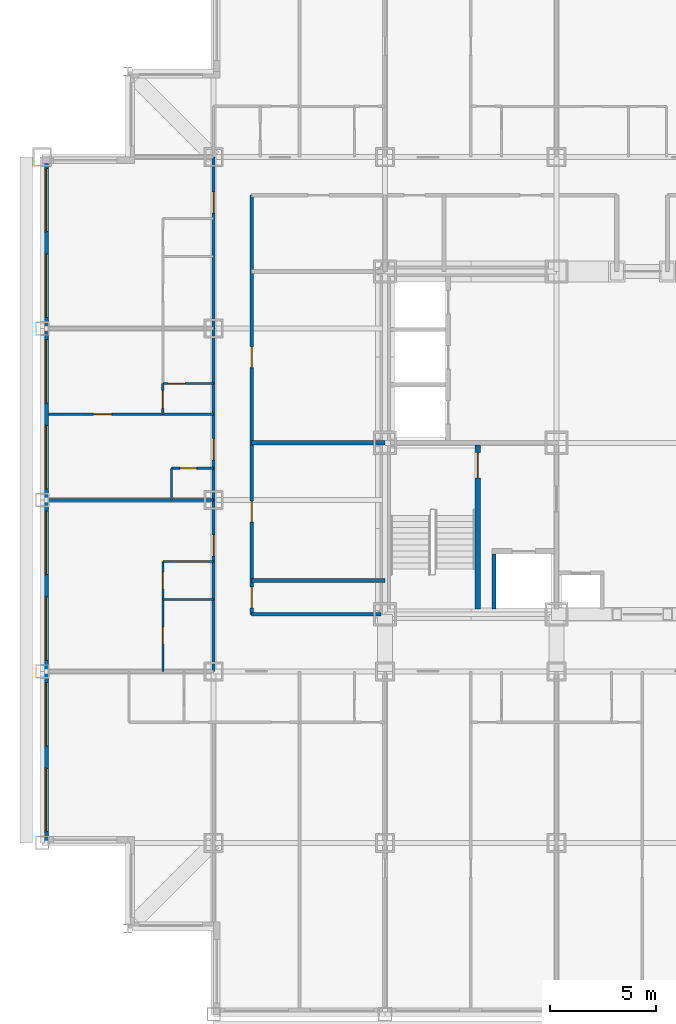
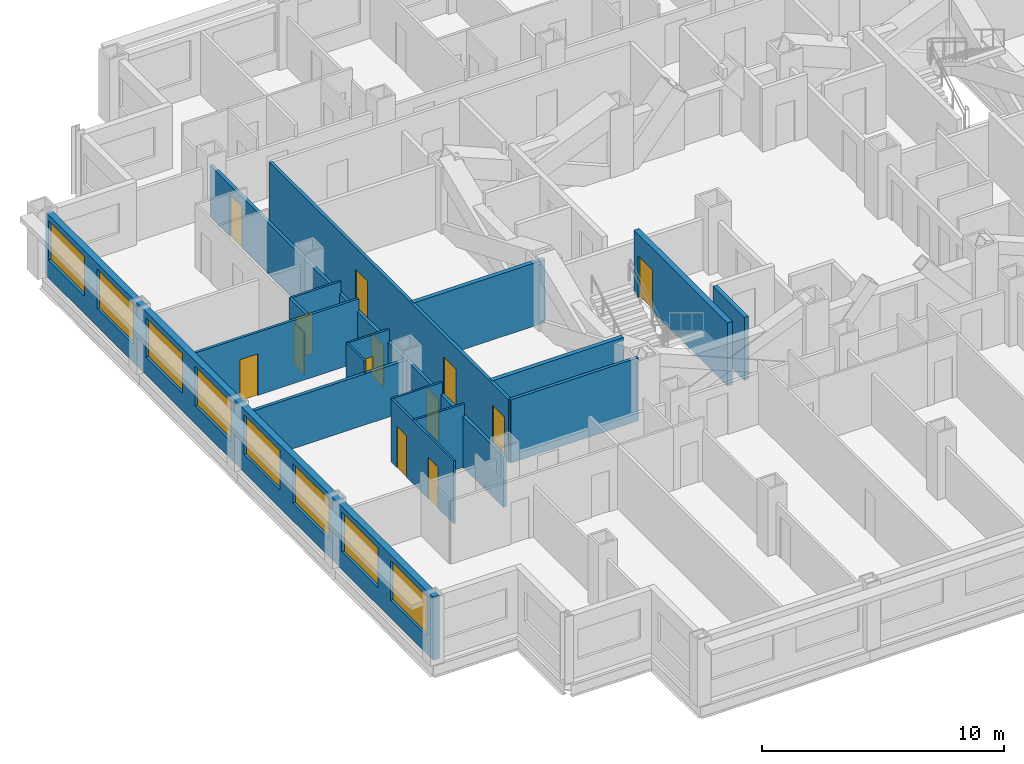
# One storey, part 5 of 14: 17 walls, 13 doors, 8 windows, 21 openings.
"""IFC4 building model written with IfcOpenShell, lengths in metres."""

from ifc_helpers import new_model, si_unit, direction, frame, frame_2d, origin, place, context, subcontext, project, spatial, rectangle, extrude, material, layer, layer_set, type_object, element, fill, save


model = new_model("IFC4")

# Units and contexts
model_context = context("Model", 3, precision=1e-05, world=origin(), true_north=direction((0.0, 1.0)))
body_context = subcontext(model_context, "Body", "Model", "MODEL_VIEW")
ifc_project = project(units=[si_unit("LENGTHUNIT", "METRE"), si_unit("AREAUNIT", "SQUARE_METRE"), si_unit("VOLUMEUNIT", "CUBIC_METRE"), si_unit("PLANEANGLEUNIT", "RADIAN"), si_unit("MASSUNIT", "GRAM", prefix="KILO")], contexts=[model_context])

# Site, building, storey
site_placement = place(None, origin())
site = spatial("IfcSite", under=ifc_project, at=site_placement, CompositionType="ELEMENT")
building_placement = place(site_placement, origin())
building = spatial("IfcBuilding", under=site, at=building_placement, Name="Kopane Lantern Tower", CompositionType="ELEMENT")
storey_placement = place(building_placement, frame((0.0, 0.0, 127.199951171875)))
storey = spatial("IfcBuildingStorey", under=building, at=storey_placement, Name="L32", CompositionType="ELEMENT", Elevation=127.199951171875)

# Wall, opening, door
ifc_material_1 = material(Name="Gypsum board on steel studs", Category="steel")
ifc_layer_1 = layer(ifc_material_1, 0.1201171875)
ifc_layer_set_1 = layer_set([ifc_layer_1], Name="APARTMENT INTERNAL WALL 120")
wall_type_1 = type_object("IfcWallType", Name="APARTMENT INTERNAL WALL 120", PredefinedType="PARTITIONING", material=ifc_layer_set_1)
wall_1_placement = place(storey_placement, frame((8.10009765625, 33.75, 0.0), z_axis=(0.0, 0.0, 1.0), x_axis=(-1.0, 0.0, 0.0)))
wall_1 = element("IfcWall", 1, at=wall_1_placement, inside=storey, type_object=wall_type_1, Name="Apartment Internal Wall 120 L32", PredefinedType="PARTITIONING", context=body_context, shape_type="SweptSolid", body=[
    extrude(rectangle(XDim=7.800048828125, YDim=0.1201171875, at=frame_2d((3.89990234375, 0.0))), origin(), (0.0, 0.0, 1.0), 3.18994140625),
])
opening_1_placement = place(wall_1_placement, frame((4.824951171875, 0.0, 0.0)))
opening_1 = element("IfcOpeningElement", 2, at=opening_1_placement, cuts=wall_1, Name="Opening L32-049", PredefinedType="OPENING", context=body_context, shape_type="SweptSolid", body=[
    extrude(rectangle(XDim=0.85009765625, YDim=2.10009765625, at=frame_2d((0.425048828125, 1.050048828125))), frame((0.0, 0.070068359375, 0.0), z_axis=(0.0, -1.0, 0.0), x_axis=(1.0, 0.0, 0.0)), (0.0, 0.0, 1.0), 0.14013671875),
])
ifc_material_2 = material(Name="Timber door set", Category="wood")
door_type_1 = type_object("IfcDoorType", Name="DOOR D4 850x2100", OperationType="SINGLE_SWING_LEFT", PredefinedType="DOOR", material=ifc_material_2)
door_1_placement = place(opening_1_placement, origin())
door_1 = element("IfcDoor", 3, at=door_1_placement, inside=storey, type_object=door_type_1, Name="Door L32-049", OperationType="SINGLE_SWING_RIGHT", OverallHeight=2.10009765625, OverallWidth=0.85009765625, PredefinedType="DOOR", context=body_context, shape_type="SweptSolid", body=[
    extrude(rectangle(XDim=0.85009765625, YDim=2.10009765625, at=frame_2d((0.425048828125, 1.050048828125))), frame((0.0, 0.02490234375, 0.0), z_axis=(0.0, -1.0, 0.0), x_axis=(1.0, 0.0, 0.0)), (0.0, 0.0, 1.0), 0.050048828125),
])
fill(opening_1, door_1)

wall_2_placement = place(storey_placement, frame((5.699951171875, 33.75, 0.0), z_axis=(0.0, 0.0, 1.0), x_axis=(0.0, 1.0, 0.0)))
wall_2 = element("IfcWall", 4, at=wall_2_placement, inside=storey, type_object=wall_type_1, Name="Apartment Internal Wall 120 L32", PredefinedType="PARTITIONING", context=body_context, shape_type="SweptSolid", body=[
    extrude(rectangle(XDim=1.4599609375, YDim=0.1201171875, at=frame_2d((0.72998046875, 0.0))), origin(), (0.0, 0.0, 1.0), 3.18994140625),
])
opening_2_placement = place(wall_2_placement, frame((0.27490234375, 0.0, 0.0)))
opening_2 = element("IfcOpeningElement", 5, at=opening_2_placement, cuts=wall_2, Name="Opening L32-085", PredefinedType="OPENING", context=body_context, shape_type="SweptSolid", body=[
    extrude(rectangle(XDim=0.85009765625, YDim=2.10009765625, at=frame_2d((0.425048828125, 1.050048828125))), frame((0.0, 0.070068359375, 0.0), z_axis=(0.0, -1.0, 0.0), x_axis=(1.0, 0.0, 0.0)), (0.0, 0.0, 1.0), 0.14013671875),
])
door_2_placement = place(opening_2_placement, origin())
door_2 = element("IfcDoor", 6, at=door_2_placement, inside=storey, type_object=door_type_1, Name="Door L32-085", OperationType="SINGLE_SWING_LEFT", OverallHeight=2.10009765625, OverallWidth=0.85009765625, PredefinedType="DOOR", context=body_context, shape_type="SweptSolid", body=[
    extrude(rectangle(XDim=0.85009765625, YDim=2.10009765625, at=frame_2d((0.425048828125, 1.050048828125))), frame((0.0, 0.02490234375, 0.0), z_axis=(0.0, -1.0, 0.0), x_axis=(1.0, 0.0, 0.0)), (0.0, 0.0, 1.0), 0.050048828125),
])
fill(opening_2, door_2)

# Wall, openings, doors
ifc_material_3 = material(Name="Moisture-resistant board on steel studs", Category="steel")
ifc_layer_2 = layer(ifc_material_3, 0.10009765625)
ifc_layer_set_2 = layer_set([ifc_layer_2], Name="BATHROOM WALL 100")
wall_type_2 = type_object("IfcWallType", Name="BATHROOM WALL 100", PredefinedType="PARTITIONING", material=ifc_layer_set_2)
wall_3_placement = place(storey_placement, frame((5.699951171875, 21.60009765625, 0.0), z_axis=(0.0, 0.0, 1.0), x_axis=(0.0, 1.0, 0.0)))
wall_3 = element("IfcWall", 7, at=wall_3_placement, inside=storey, type_object=wall_type_2, Name="Bathroom Wall 100 L32", PredefinedType="PARTITIONING", context=body_context, shape_type="SweptSolid", body=[
    extrude(rectangle(XDim=5.199951171875, YDim=0.10009765625, at=frame_2d((2.60009765625, 0.0))), origin(), (0.0, 0.0, 1.0), 3.18994140625),
])
opening_3_placement = place(wall_3_placement, frame((1.300048828125, 0.0, 0.0)))
opening_3 = element("IfcOpeningElement", 8, at=opening_3_placement, cuts=wall_3, Name="Opening L32-043", PredefinedType="OPENING", context=body_context, shape_type="SweptSolid", body=[
    extrude(rectangle(XDim=0.800048828125, YDim=2.10009765625, at=frame_2d((0.39990234375, 1.050048828125))), frame((0.0, 0.06005859375, 0.0), z_axis=(0.0, -1.0, 0.0), x_axis=(1.0, 0.0, 0.0)), (0.0, 0.0, 1.0), 0.1201171875),
])
opening_4_placement = place(wall_3_placement, frame((3.89990234375, 0.0, 0.0)))
opening_4 = element("IfcOpeningElement", 9, at=opening_4_placement, cuts=wall_3, Name="Opening L32-044", PredefinedType="OPENING", context=body_context, shape_type="SweptSolid", body=[
    extrude(rectangle(XDim=0.800048828125, YDim=2.10009765625, at=frame_2d((0.39990234375, 1.050048828125))), frame((0.0, 0.06005859375, 0.0), z_axis=(0.0, -1.0, 0.0), x_axis=(1.0, 0.0, 0.0)), (0.0, 0.0, 1.0), 0.1201171875),
])
ifc_material_4 = material(Name="Timber door set", Category="wood")
door_type_2 = type_object("IfcDoorType", Name="DOOR D2 800x2100", OperationType="SINGLE_SWING_LEFT", PredefinedType="DOOR", material=ifc_material_4)
door_3_placement = place(opening_3_placement, origin())
door_3 = element("IfcDoor", 10, at=door_3_placement, inside=storey, type_object=door_type_2, Name="Door L32-043", OperationType="SINGLE_SWING_LEFT", OverallHeight=2.10009765625, OverallWidth=0.800048828125, PredefinedType="DOOR", context=body_context, shape_type="SweptSolid", body=[
    extrude(rectangle(XDim=0.800048828125, YDim=2.10009765625, at=frame_2d((0.39990234375, 1.050048828125))), frame((0.0, 0.02490234375, 0.0), z_axis=(0.0, -1.0, 0.0), x_axis=(1.0, 0.0, 0.0)), (0.0, 0.0, 1.0), 0.050048828125),
])
fill(opening_3, door_3)
door_4_placement = place(opening_4_placement, origin())
door_4 = element("IfcDoor", 11, at=door_4_placement, inside=storey, type_object=door_type_2, Name="Door L32-044", OperationType="SINGLE_SWING_LEFT", OverallHeight=2.10009765625, OverallWidth=0.800048828125, PredefinedType="DOOR", context=body_context, shape_type="SweptSolid", body=[
    extrude(rectangle(XDim=0.800048828125, YDim=2.10009765625, at=frame_2d((0.39990234375, 1.050048828125))), frame((0.0, 0.02490234375, 0.0), z_axis=(0.0, -1.0, 0.0), x_axis=(1.0, 0.0, 0.0)), (0.0, 0.0, 1.0), 0.050048828125),
])
fill(opening_4, door_4)

# Walls
for number, where, z_axis, x_axis, name in (
    (12, (8.10009765625, 25.0, 0.0), (0.0, 0.0, 1.0), (-1.0, 0.0, 0.0), "Bathroom Wall 100 L32"),
    (13, (8.10009765625, 26.800048828125, 0.0), (0.0, 0.0, 1.0), (-1.0, 0.0, 0.0), "Bathroom Wall 100 L32"),
):
    element("IfcWall", number, at=place(storey_placement, frame(where, z_axis=z_axis, x_axis=x_axis)), inside=storey, type_object=wall_type_2, Name=name, PredefinedType="PARTITIONING", context=body_context, shape_type="SweptSolid", body=[
        extrude(rectangle(XDim=2.400146484375, YDim=0.10009765625, at=frame_2d((1.2001953125, 0.0))), origin(), (0.0, 0.0, 1.0), 3.18994140625),
    ])
wall_4_placement = place(storey_placement, frame((6.10009765625, 29.699951171875, 0.0), z_axis=(0.0, 0.0, 1.0), x_axis=(0.0, 1.0, 0.0)))
element("IfcWall", 14, at=wall_4_placement, inside=storey, type_object=wall_type_2, Name="Bathroom Wall 100 L32", PredefinedType="PARTITIONING", context=body_context, shape_type="SweptSolid", body=[
    extrude(rectangle(XDim=1.5, YDim=0.10009765625, at=frame_2d((0.75, 0.0))), origin(), (0.0, 0.0, 1.0), 3.18994140625),
])

# Wall, opening, door
wall_5_placement = place(storey_placement, frame((8.10009765625, 31.199951171875, 0.0), z_axis=(0.0, 0.0, 1.0), x_axis=(-1.0, 0.0, 0.0)))
wall_5 = element("IfcWall", 15, at=wall_5_placement, inside=storey, type_object=wall_type_2, Name="Bathroom Wall 100 L32", PredefinedType="PARTITIONING", context=body_context, shape_type="SweptSolid", body=[
    extrude(rectangle(XDim=2.0, YDim=0.10009765625, at=frame_2d((1.0, 0.0))), origin(), (0.0, 0.0, 1.0), 3.18994140625),
])
opening_5_placement = place(wall_5_placement, frame((0.800048828125, 0.0, 0.0)))
opening_5 = element("IfcOpeningElement", 16, at=opening_5_placement, cuts=wall_5, Name="Opening L32-046", PredefinedType="OPENING", context=body_context, shape_type="SweptSolid", body=[
    extrude(rectangle(XDim=0.800048828125, YDim=2.10009765625, at=frame_2d((0.39990234375, 1.050048828125))), frame((0.0, 0.06005859375, 0.0), z_axis=(0.0, -1.0, 0.0), x_axis=(1.0, 0.0, 0.0)), (0.0, 0.0, 1.0), 0.1201171875),
])
door_5_placement = place(opening_5_placement, origin())
door_5 = element("IfcDoor", 17, at=door_5_placement, inside=storey, type_object=door_type_2, Name="Door L32-046", OperationType="SINGLE_SWING_RIGHT", OverallHeight=2.10009765625, OverallWidth=0.800048828125, PredefinedType="DOOR", context=body_context, shape_type="SweptSolid", body=[
    extrude(rectangle(XDim=0.800048828125, YDim=2.10009765625, at=frame_2d((0.39990234375, 1.050048828125))), frame((0.0, 0.02490234375, 0.0), z_axis=(0.0, -1.0, 0.0), x_axis=(1.0, 0.0, 0.0)), (0.0, 0.0, 1.0), 0.050048828125),
])
fill(opening_5, door_5)

wall_6_placement = place(storey_placement, frame((8.10009765625, 35.199951171875, 0.0), z_axis=(0.0, 0.0, 1.0), x_axis=(-1.0, 0.0, 0.0)))
wall_6 = element("IfcWall", 18, at=wall_6_placement, inside=storey, type_object=wall_type_2, Name="Bathroom Wall 100 L32", PredefinedType="PARTITIONING", context=body_context, shape_type="SweptSolid", body=[
    extrude(rectangle(XDim=2.400146484375, YDim=0.10009765625, at=frame_2d((1.2001953125, 0.0))), origin(), (0.0, 0.0, 1.0), 3.18994140625),
])
opening_6_placement = place(wall_6_placement, frame((1.35009765625, 0.0, 0.0)))
opening_6 = element("IfcOpeningElement", 19, at=opening_6_placement, cuts=wall_6, Name="Opening L32-048", PredefinedType="OPENING", context=body_context, shape_type="SweptSolid", body=[
    extrude(rectangle(XDim=0.800048828125, YDim=2.10009765625, at=frame_2d((0.39990234375, 1.050048828125))), frame((0.0, 0.06005859375, 0.0), z_axis=(0.0, -1.0, 0.0), x_axis=(1.0, 0.0, 0.0)), (0.0, 0.0, 1.0), 0.1201171875),
])
door_6_placement = place(opening_6_placement, origin())
door_6 = element("IfcDoor", 20, at=door_6_placement, inside=storey, type_object=door_type_2, Name="Door L32-048", OperationType="SINGLE_SWING_RIGHT", OverallHeight=2.10009765625, OverallWidth=0.800048828125, PredefinedType="DOOR", context=body_context, shape_type="SweptSolid", body=[
    extrude(rectangle(XDim=0.800048828125, YDim=2.10009765625, at=frame_2d((0.39990234375, 1.050048828125))), frame((0.0, 0.02490234375, 0.0), z_axis=(0.0, -1.0, 0.0), x_axis=(1.0, 0.0, 0.0)), (0.0, 0.0, 1.0), 0.050048828125),
])
fill(opening_6, door_6)

ifc_material_5 = material(Name="Gypsum shaft wall EI 120", Category="gypsum")
ifc_layer_3 = layer(ifc_material_5, 0.25)
ifc_layer_set_3 = layer_set([ifc_layer_3], Name="CORE SHAFT WALL 250 EI 120")
wall_type_3 = type_object("IfcWallType", Name="CORE SHAFT WALL 250 EI 120", PredefinedType="SOLIDWALL", material=ifc_layer_set_3)
wall_7_placement = place(storey_placement, frame((20.574951171875, 24.550048828125, 0.0), z_axis=(0.0, 0.0, 1.0), x_axis=(0.0, 1.0, 0.0)))
wall_7 = element("IfcWall", 21, at=wall_7_placement, inside=storey, type_object=wall_type_3, Name="Core shaft wall L32 XST1", PredefinedType="SOLIDWALL", context=body_context, shape_type="SweptSolid", body=[
    extrude(rectangle(XDim=7.75, YDim=0.25, at=frame_2d((3.875, 0.0))), origin(), (0.0, 0.0, 1.0), 3.18994140625),
])
opening_7_placement = place(wall_7_placement, frame((6.199951171875, 0.0, 0.0)))
opening_7 = element("IfcOpeningElement", 22, at=opening_7_placement, cuts=wall_7, Name="Opening 32.SD1", PredefinedType="OPENING", context=body_context, shape_type="SweptSolid", body=[
    extrude(rectangle(XDim=1.199951171875, YDim=2.10009765625, at=frame_2d((0.60009765625, 1.050048828125))), frame((0.0, 0.135009765625, 0.0), z_axis=(0.0, -1.0, 0.0), x_axis=(1.0, 0.0, 0.0)), (0.0, 0.0, 1.0), 0.27001953125),
])
ifc_material_6 = material(Name="Steel door set", Category="steel")
door_type_3 = type_object("IfcDoorType", Name="STAIR DOOR 1200x2100 FD60S", OperationType="SINGLE_SWING_LEFT", PredefinedType="DOOR", material=ifc_material_6)
door_7_placement = place(opening_7_placement, origin())
door_7 = element("IfcDoor", 23, at=door_7_placement, inside=storey, type_object=door_type_3, Name="Stair door ST1 L32", OperationType="SINGLE_SWING_LEFT", OverallHeight=2.10009765625, OverallWidth=1.199951171875, PredefinedType="DOOR", context=body_context, shape_type="SweptSolid", body=[
    extrude(rectangle(XDim=1.199951171875, YDim=2.10009765625, at=frame_2d((0.60009765625, 1.050048828125))), frame((0.0, 0.02490234375, 0.0), z_axis=(0.0, -1.0, 0.0), x_axis=(1.0, 0.0, 0.0)), (0.0, 0.0, 1.0), 0.050048828125),
])
fill(opening_7, door_7)

# Wall, openings, doors
ifc_material_7 = material(Name="Gypsum board on steel studs", Category="steel")
ifc_layer_4 = layer(ifc_material_7, 0.14990234375)
ifc_layer_set_4 = layer_set([ifc_layer_4], Name="CORRIDOR WALL 150 EI 60")
wall_type_4 = type_object("IfcWallType", Name="CORRIDOR WALL 150 EI 60", PredefinedType="PARTITIONING", material=ifc_layer_set_4)
wall_8_placement = place(storey_placement, frame((8.10009765625, 21.60009765625, 0.0), z_axis=(0.0, 0.0, 1.0), x_axis=(0.0, 1.0, 0.0)))
wall_8 = element("IfcWall", 24, at=wall_8_placement, inside=storey, type_object=wall_type_4, Name="Corridor Wall 150 Ei 60 L32", PredefinedType="PARTITIONING", context=body_context, shape_type="SweptSolid", body=[
    extrude(rectangle(XDim=24.2998046875, YDim=0.14990234375, at=frame_2d((12.14990234375, 0.0))), origin(), (0.0, 0.0, 1.0), 2.577880859375),
])
opening_8_placement = place(wall_8_placement, frame((5.449951171875, 0.0, 0.0)))
opening_8 = element("IfcOpeningElement", 25, at=opening_8_placement, cuts=wall_8, Name="Opening L32-045", PredefinedType="OPENING", context=body_context, shape_type="SweptSolid", body=[
    extrude(rectangle(XDim=1.0, YDim=2.10009765625, at=frame_2d((0.5, 1.050048828125))), frame((0.0, 0.0849609375, 0.0), z_axis=(0.0, -1.0, 0.0), x_axis=(1.0, 0.0, 0.0)), (0.0, 0.0, 1.0), 0.169921875),
])
opening_9_placement = place(wall_8_placement, frame((10.0, 0.0, 0.0)))
opening_9 = element("IfcOpeningElement", 26, at=opening_9_placement, cuts=wall_8, Name="Opening L32-047", PredefinedType="OPENING", context=body_context, shape_type="SweptSolid", body=[
    extrude(rectangle(XDim=1.0, YDim=2.10009765625, at=frame_2d((0.5, 1.050048828125))), frame((0.0, 0.0849609375, 0.0), z_axis=(0.0, -1.0, 0.0), x_axis=(1.0, 0.0, 0.0)), (0.0, 0.0, 1.0), 0.169921875),
])
opening_10_placement = place(wall_8_placement, frame((21.64990234375, 0.0, 0.0)))
opening_10 = element("IfcOpeningElement", 27, at=opening_10_placement, cuts=wall_8, Name="Opening L32-052", PredefinedType="OPENING", context=body_context, shape_type="SweptSolid", body=[
    extrude(rectangle(XDim=1.0, YDim=2.10009765625, at=frame_2d((0.5, 1.050048828125))), frame((0.0, 0.0849609375, 0.0), z_axis=(0.0, -1.0, 0.0), x_axis=(1.0, 0.0, 0.0)), (0.0, 0.0, 1.0), 0.169921875),
])
ifc_material_8 = material(Name="Steel door set", Category="steel")
door_type_4 = type_object("IfcDoorType", Name="DOOR D1 1000x2100 FD30S", OperationType="SINGLE_SWING_LEFT", PredefinedType="DOOR", material=ifc_material_8)
door_8_placement = place(opening_8_placement, origin())
door_8 = element("IfcDoor", 28, at=door_8_placement, inside=storey, type_object=door_type_4, Name="Door L32-045", OperationType="SINGLE_SWING_LEFT", OverallHeight=2.10009765625, OverallWidth=1.0, PredefinedType="DOOR", context=body_context, shape_type="SweptSolid", body=[
    extrude(rectangle(XDim=1.0, YDim=2.10009765625, at=frame_2d((0.5, 1.050048828125))), frame((0.0, 0.02490234375, 0.0), z_axis=(0.0, -1.0, 0.0), x_axis=(1.0, 0.0, 0.0)), (0.0, 0.0, 1.0), 0.050048828125),
])
fill(opening_8, door_8)
door_9_placement = place(opening_9_placement, origin())
door_9 = element("IfcDoor", 29, at=door_9_placement, inside=storey, type_object=door_type_4, Name="Door L32-047", OperationType="SINGLE_SWING_LEFT", OverallHeight=2.10009765625, OverallWidth=1.0, PredefinedType="DOOR", context=body_context, shape_type="SweptSolid", body=[
    extrude(rectangle(XDim=1.0, YDim=2.10009765625, at=frame_2d((0.5, 1.050048828125))), frame((0.0, 0.02490234375, 0.0), z_axis=(0.0, -1.0, 0.0), x_axis=(1.0, 0.0, 0.0)), (0.0, 0.0, 1.0), 0.050048828125),
])
fill(opening_9, door_9)
door_10_placement = place(opening_10_placement, origin())
door_10 = element("IfcDoor", 30, at=door_10_placement, inside=storey, type_object=door_type_4, Name="Door L32-052", OperationType="SINGLE_SWING_LEFT", OverallHeight=2.10009765625, OverallWidth=1.0, PredefinedType="DOOR", context=body_context, shape_type="SweptSolid", body=[
    extrude(rectangle(XDim=1.0, YDim=2.10009765625, at=frame_2d((0.5, 1.050048828125))), frame((0.0, 0.02490234375, 0.0), z_axis=(0.0, -1.0, 0.0), x_axis=(1.0, 0.0, 0.0)), (0.0, 0.0, 1.0), 0.050048828125),
])
fill(opening_10, door_10)

wall_9_placement = place(storey_placement, frame((9.89990234375, 44.10009765625, 0.0), z_axis=(0.0, 0.0, 1.0), x_axis=(0.0, -1.0, 0.0)))
wall_9 = element("IfcWall", 31, at=wall_9_placement, inside=storey, type_object=wall_type_4, Name="Corridor Wall 150 Ei 60 L32", PredefinedType="PARTITIONING", context=body_context, shape_type="SweptSolid", body=[
    extrude(rectangle(XDim=19.800048828125, YDim=0.14990234375, at=frame_2d((9.89990234375, 0.0))), origin(), (0.0, 0.0, 1.0), 3.18994140625),
])
opening_11_placement = place(wall_9_placement, frame((18.5, 0.0, 0.0)))
opening_11 = element("IfcOpeningElement", 32, at=opening_11_placement, cuts=wall_9, Name="Opening L32-001", PredefinedType="OPENING", context=body_context, shape_type="SweptSolid", body=[
    extrude(rectangle(XDim=1.0, YDim=2.10009765625, at=frame_2d((0.5, 1.050048828125))), frame((0.0, 0.0849609375, 0.0), z_axis=(0.0, -1.0, 0.0), x_axis=(1.0, 0.0, 0.0)), (0.0, 0.0, 1.0), 0.169921875),
])
opening_12_placement = place(wall_9_placement, frame((14.449951171875, 0.0, 0.0)))
opening_12 = element("IfcOpeningElement", 33, at=opening_12_placement, cuts=wall_9, Name="Opening L32-002", PredefinedType="OPENING", context=body_context, shape_type="SweptSolid", body=[
    extrude(rectangle(XDim=1.0, YDim=2.10009765625, at=frame_2d((0.5, 1.050048828125))), frame((0.0, 0.0849609375, 0.0), z_axis=(0.0, -1.0, 0.0), x_axis=(1.0, 0.0, 0.0)), (0.0, 0.0, 1.0), 0.169921875),
])
opening_13_placement = place(wall_9_placement, frame((7.14990234375, 0.0, 0.0)))
opening_13 = element("IfcOpeningElement", 34, at=opening_13_placement, cuts=wall_9, Name="Opening L32-003", PredefinedType="OPENING", context=body_context, shape_type="SweptSolid", body=[
    extrude(rectangle(XDim=1.0, YDim=2.10009765625, at=frame_2d((0.5, 1.050048828125))), frame((0.0, 0.0849609375, 0.0), z_axis=(0.0, -1.0, 0.0), x_axis=(1.0, 0.0, 0.0)), (0.0, 0.0, 1.0), 0.169921875),
])
ifc_material_9 = material(Name="Steel door set", Category="steel")
door_type_5 = type_object("IfcDoorType", Name="DOOR D5 1000x2100 FD60", OperationType="SINGLE_SWING_LEFT", PredefinedType="DOOR", material=ifc_material_9)
door_11_placement = place(opening_11_placement, origin())
door_11 = element("IfcDoor", 35, at=door_11_placement, inside=storey, type_object=door_type_5, Name="Door L32-001", OperationType="SINGLE_SWING_LEFT", OverallHeight=2.10009765625, OverallWidth=1.0, PredefinedType="DOOR", context=body_context, shape_type="SweptSolid", body=[
    extrude(rectangle(XDim=1.0, YDim=2.10009765625, at=frame_2d((0.5, 1.050048828125))), frame((0.0, 0.02490234375, 0.0), z_axis=(0.0, -1.0, 0.0), x_axis=(1.0, 0.0, 0.0)), (0.0, 0.0, 1.0), 0.050048828125),
])
fill(opening_11, door_11)
door_12_placement = place(opening_12_placement, origin())
door_12 = element("IfcDoor", 36, at=door_12_placement, inside=storey, type_object=door_type_5, Name="Door L32-002", OperationType="SINGLE_SWING_RIGHT", OverallHeight=2.10009765625, OverallWidth=1.0, PredefinedType="DOOR", context=body_context, shape_type="SweptSolid", body=[
    extrude(rectangle(XDim=1.0, YDim=2.10009765625, at=frame_2d((0.5, 1.050048828125))), frame((0.0, 0.02490234375, 0.0), z_axis=(0.0, -1.0, 0.0), x_axis=(1.0, 0.0, 0.0)), (0.0, 0.0, 1.0), 0.050048828125),
])
fill(opening_12, door_12)
door_13_placement = place(opening_13_placement, origin())
door_13 = element("IfcDoor", 37, at=door_13_placement, inside=storey, type_object=door_type_5, Name="Door L32-003", OperationType="SINGLE_SWING_LEFT", OverallHeight=2.10009765625, OverallWidth=1.0, PredefinedType="DOOR", context=body_context, shape_type="SweptSolid", body=[
    extrude(rectangle(XDim=1.0, YDim=2.10009765625, at=frame_2d((0.5, 1.050048828125))), frame((0.0, 0.02490234375, 0.0), z_axis=(0.0, -1.0, 0.0), x_axis=(1.0, 0.0, 0.0)), (0.0, 0.0, 1.0), 0.050048828125),
])
fill(opening_13, door_13)

# Walls
wall_10_placement = place(storey_placement, frame((9.89990234375, 24.300048828125, 0.0), z_axis=(0.0, 0.0, 1.0), x_axis=(1.0, 0.0, 0.0)))
element("IfcWall", 38, at=wall_10_placement, inside=storey, type_object=wall_type_4, Name="Corridor Wall 150 Ei 60 L32", PredefinedType="PARTITIONING", context=body_context, shape_type="SweptSolid", body=[
    extrude(rectangle(XDim=6.10009765625, YDim=0.14990234375, at=frame_2d((3.050048828125, 0.0))), origin(), (0.0, 0.0, 1.0), 3.18994140625),
])
ifc_material_10 = material(Name="Gypsum board on steel studs", Category="steel")
ifc_layer_5 = layer(ifc_material_10, 0.14990234375)
ifc_layer_set_5 = layer_set([ifc_layer_5], Name="DEMISING WALL 150 EI 60")
wall_type_5 = type_object("IfcWallType", Name="DEMISING WALL 150 EI 60", PredefinedType="PARTITIONING", material=ifc_layer_set_5)
wall_11_placement = place(storey_placement, frame((8.10009765625, 29.699951171875, 0.0), z_axis=(0.0, 0.0, 1.0), x_axis=(-1.0, 0.0, 0.0)))
element("IfcWall", 39, at=wall_11_placement, inside=storey, type_object=wall_type_5, Name="Demising Wall 150 Ei 60 L32", PredefinedType="PARTITIONING", context=body_context, shape_type="SweptSolid", body=[
    extrude(rectangle(XDim=7.800048828125, YDim=0.14990234375, at=frame_2d((3.89990234375, 0.0))), origin(), (0.0, 0.0, 1.0), 2.577880859375),
])

# Wall, openings, windows
ifc_material_11 = material(Name="Terracotta rainscreen on light steel framing", Category="masonry")
ifc_layer_6 = layer(ifc_material_11, 0.300048828125)
ifc_layer_set_6 = layer_set([ifc_layer_6], Name="EXTERNAL WALL EW1 300 TERRACOTTA")
wall_type_6 = type_object("IfcWallType", Name="EXTERNAL WALL EW1 300 TERRACOTTA", PredefinedType="SOLIDWALL", material=ifc_layer_set_6)
wall_12_placement = place(storey_placement, frame((0.14990234375, 45.60009765625, 0.0), z_axis=(0.0, 0.0, 1.0), x_axis=(0.0, -1.0, 0.0)))
wall_12 = element("IfcWall", 40, at=wall_12_placement, inside=storey, type_object=wall_type_6, Name="External wall W L32", PredefinedType="SOLIDWALL", context=body_context, shape_type="SweptSolid", body=[
    extrude(rectangle(XDim=32.10009765625, YDim=0.300048828125, at=frame_2d((16.050048828125, 0.0))), origin(), (0.0, 0.0, 1.0), 3.18994140625),
])
opening_14_placement = place(wall_12_placement, frame((0.22509765625, 0.0, 0.89990234375)))
opening_14 = element("IfcOpeningElement", 41, at=opening_14_placement, cuts=wall_12, Name="Opening WR300200", PredefinedType="OPENING", context=body_context, shape_type="SweptSolid", body=[
    extrude(rectangle(XDim=3.0, YDim=2.0, at=frame_2d((1.5, 1.0))), frame((0.0, 0.159912109375, 0.0), z_axis=(0.0, -1.0, 0.0), x_axis=(1.0, 0.0, 0.0)), (0.0, 0.0, 1.0), 0.320068359375),
])
opening_15_placement = place(wall_12_placement, frame((4.27490234375, 0.0, 0.89990234375)))
opening_15 = element("IfcOpeningElement", 42, at=opening_15_placement, cuts=wall_12, Name="Opening WR300200", PredefinedType="OPENING", context=body_context, shape_type="SweptSolid", body=[
    extrude(rectangle(XDim=3.0, YDim=2.0, at=frame_2d((1.5, 1.0))), frame((0.0, 0.159912109375, 0.0), z_axis=(0.0, -1.0, 0.0), x_axis=(1.0, 0.0, 0.0)), (0.0, 0.0, 1.0), 0.320068359375),
])
opening_16_placement = place(wall_12_placement, frame((8.324951171875, 0.0, 0.89990234375)))
opening_16 = element("IfcOpeningElement", 43, at=opening_16_placement, cuts=wall_12, Name="Opening WR300200", PredefinedType="OPENING", context=body_context, shape_type="SweptSolid", body=[
    extrude(rectangle(XDim=3.0, YDim=2.0, at=frame_2d((1.5, 1.0))), frame((0.0, 0.159912109375, 0.0), z_axis=(0.0, -1.0, 0.0), x_axis=(1.0, 0.0, 0.0)), (0.0, 0.0, 1.0), 0.320068359375),
])
opening_17_placement = place(wall_12_placement, frame((12.375, 0.0, 0.89990234375)))
opening_17 = element("IfcOpeningElement", 44, at=opening_17_placement, cuts=wall_12, Name="Opening WR300200", PredefinedType="OPENING", context=body_context, shape_type="SweptSolid", body=[
    extrude(rectangle(XDim=3.0, YDim=2.0, at=frame_2d((1.5, 1.0))), frame((0.0, 0.159912109375, 0.0), z_axis=(0.0, -1.0, 0.0), x_axis=(1.0, 0.0, 0.0)), (0.0, 0.0, 1.0), 0.320068359375),
])
opening_18_placement = place(wall_12_placement, frame((16.425048828125, 0.0, 0.89990234375)))
opening_18 = element("IfcOpeningElement", 45, at=opening_18_placement, cuts=wall_12, Name="Opening WR300200", PredefinedType="OPENING", context=body_context, shape_type="SweptSolid", body=[
    extrude(rectangle(XDim=3.0, YDim=2.0, at=frame_2d((1.5, 1.0))), frame((0.0, 0.159912109375, 0.0), z_axis=(0.0, -1.0, 0.0), x_axis=(1.0, 0.0, 0.0)), (0.0, 0.0, 1.0), 0.320068359375),
])
opening_19_placement = place(wall_12_placement, frame((20.47509765625, 0.0, 0.89990234375)))
opening_19 = element("IfcOpeningElement", 46, at=opening_19_placement, cuts=wall_12, Name="Opening WR300200", PredefinedType="OPENING", context=body_context, shape_type="SweptSolid", body=[
    extrude(rectangle(XDim=3.0, YDim=2.0, at=frame_2d((1.5, 1.0))), frame((0.0, 0.159912109375, 0.0), z_axis=(0.0, -1.0, 0.0), x_axis=(1.0, 0.0, 0.0)), (0.0, 0.0, 1.0), 0.320068359375),
])
opening_20_placement = place(wall_12_placement, frame((24.52490234375, 0.0, 0.89990234375)))
opening_20 = element("IfcOpeningElement", 47, at=opening_20_placement, cuts=wall_12, Name="Opening WR300200", PredefinedType="OPENING", context=body_context, shape_type="SweptSolid", body=[
    extrude(rectangle(XDim=3.0, YDim=2.0, at=frame_2d((1.5, 1.0))), frame((0.0, 0.159912109375, 0.0), z_axis=(0.0, -1.0, 0.0), x_axis=(1.0, 0.0, 0.0)), (0.0, 0.0, 1.0), 0.320068359375),
])
opening_21_placement = place(wall_12_placement, frame((28.574951171875, 0.0, 0.89990234375)))
opening_21 = element("IfcOpeningElement", 48, at=opening_21_placement, cuts=wall_12, Name="Opening WR300200", PredefinedType="OPENING", context=body_context, shape_type="SweptSolid", body=[
    extrude(rectangle(XDim=3.0, YDim=2.0, at=frame_2d((1.5, 1.0))), frame((0.0, 0.159912109375, 0.0), z_axis=(0.0, -1.0, 0.0), x_axis=(1.0, 0.0, 0.0)), (0.0, 0.0, 1.0), 0.320068359375),
])
ifc_material_12 = material(Name="Aluminium and clear glass", Category="aluminium")
window_type = type_object("IfcWindowType", Name="RIBBON WINDOW WR300200 3000x2000", PartitioningType="SINGLE_PANEL", PredefinedType="WINDOW", material=ifc_material_12)
window_1_placement = place(opening_14_placement, origin())
window_1 = element("IfcWindow", 49, at=window_1_placement, inside=storey, type_object=window_type, Name="Window W L32", OverallHeight=2.0, OverallWidth=3.0, PartitioningType="SINGLE_PANEL", PredefinedType="WINDOW", context=body_context, shape_type="SweptSolid", body=[
    extrude(rectangle(XDim=3.0, YDim=2.0, at=frame_2d((1.5, 1.0))), frame((0.0, 0.030029296875, 0.0), z_axis=(0.0, -1.0, 0.0), x_axis=(1.0, 0.0, 0.0)), (0.0, 0.0, 1.0), 0.06005859375),
])
fill(opening_14, window_1)
window_2_placement = place(opening_15_placement, origin())
window_2 = element("IfcWindow", 50, at=window_2_placement, inside=storey, type_object=window_type, Name="Window W L32", OverallHeight=2.0, OverallWidth=3.0, PartitioningType="SINGLE_PANEL", PredefinedType="WINDOW", context=body_context, shape_type="SweptSolid", body=[
    extrude(rectangle(XDim=3.0, YDim=2.0, at=frame_2d((1.5, 1.0))), frame((0.0, 0.030029296875, 0.0), z_axis=(0.0, -1.0, 0.0), x_axis=(1.0, 0.0, 0.0)), (0.0, 0.0, 1.0), 0.06005859375),
])
fill(opening_15, window_2)
window_3_placement = place(opening_16_placement, origin())
window_3 = element("IfcWindow", 51, at=window_3_placement, inside=storey, type_object=window_type, Name="Window W L32", OverallHeight=2.0, OverallWidth=3.0, PartitioningType="SINGLE_PANEL", PredefinedType="WINDOW", context=body_context, shape_type="SweptSolid", body=[
    extrude(rectangle(XDim=3.0, YDim=2.0, at=frame_2d((1.5, 1.0))), frame((0.0, 0.030029296875, 0.0), z_axis=(0.0, -1.0, 0.0), x_axis=(1.0, 0.0, 0.0)), (0.0, 0.0, 1.0), 0.06005859375),
])
fill(opening_16, window_3)
window_4_placement = place(opening_17_placement, origin())
window_4 = element("IfcWindow", 52, at=window_4_placement, inside=storey, type_object=window_type, Name="Window W L32", OverallHeight=2.0, OverallWidth=3.0, PartitioningType="SINGLE_PANEL", PredefinedType="WINDOW", context=body_context, shape_type="SweptSolid", body=[
    extrude(rectangle(XDim=3.0, YDim=2.0, at=frame_2d((1.5, 1.0))), frame((0.0, 0.030029296875, 0.0), z_axis=(0.0, -1.0, 0.0), x_axis=(1.0, 0.0, 0.0)), (0.0, 0.0, 1.0), 0.06005859375),
])
fill(opening_17, window_4)
window_5_placement = place(opening_18_placement, origin())
window_5 = element("IfcWindow", 53, at=window_5_placement, inside=storey, type_object=window_type, Name="Window W L32", OverallHeight=2.0, OverallWidth=3.0, PartitioningType="SINGLE_PANEL", PredefinedType="WINDOW", context=body_context, shape_type="SweptSolid", body=[
    extrude(rectangle(XDim=3.0, YDim=2.0, at=frame_2d((1.5, 1.0))), frame((0.0, 0.030029296875, 0.0), z_axis=(0.0, -1.0, 0.0), x_axis=(1.0, 0.0, 0.0)), (0.0, 0.0, 1.0), 0.06005859375),
])
fill(opening_18, window_5)
window_6_placement = place(opening_19_placement, origin())
window_6 = element("IfcWindow", 54, at=window_6_placement, inside=storey, type_object=window_type, Name="Window W L32", OverallHeight=2.0, OverallWidth=3.0, PartitioningType="SINGLE_PANEL", PredefinedType="WINDOW", context=body_context, shape_type="SweptSolid", body=[
    extrude(rectangle(XDim=3.0, YDim=2.0, at=frame_2d((1.5, 1.0))), frame((0.0, 0.030029296875, 0.0), z_axis=(0.0, -1.0, 0.0), x_axis=(1.0, 0.0, 0.0)), (0.0, 0.0, 1.0), 0.06005859375),
])
fill(opening_19, window_6)
window_7_placement = place(opening_20_placement, origin())
window_7 = element("IfcWindow", 55, at=window_7_placement, inside=storey, type_object=window_type, Name="Window W L32", OverallHeight=2.0, OverallWidth=3.0, PartitioningType="SINGLE_PANEL", PredefinedType="WINDOW", context=body_context, shape_type="SweptSolid", body=[
    extrude(rectangle(XDim=3.0, YDim=2.0, at=frame_2d((1.5, 1.0))), frame((0.0, 0.030029296875, 0.0), z_axis=(0.0, -1.0, 0.0), x_axis=(1.0, 0.0, 0.0)), (0.0, 0.0, 1.0), 0.06005859375),
])
fill(opening_20, window_7)
window_8_placement = place(opening_21_placement, origin())
window_8 = element("IfcWindow", 56, at=window_8_placement, inside=storey, type_object=window_type, Name="Window W L32", OverallHeight=2.0, OverallWidth=3.0, PartitioningType="SINGLE_PANEL", PredefinedType="WINDOW", context=body_context, shape_type="SweptSolid", body=[
    extrude(rectangle(XDim=3.0, YDim=2.0, at=frame_2d((1.5, 1.0))), frame((0.0, 0.030029296875, 0.0), z_axis=(0.0, -1.0, 0.0), x_axis=(1.0, 0.0, 0.0)), (0.0, 0.0, 1.0), 0.06005859375),
])
fill(opening_21, window_8)

# Walls
ifc_material_13 = material(Name="Concrete masonry", Category="masonry")
ifc_layer_7 = layer(ifc_material_13, 0.199951171875)
ifc_layer_set_7 = layer_set([ifc_layer_7], Name="PLANT ROOM WALL 200 EI 120")
wall_type_7 = type_object("IfcWallType", Name="PLANT ROOM WALL 200 EI 120", PredefinedType="SOLIDWALL", material=ifc_layer_set_7)
for number, where, z_axis, x_axis, name in (
    (57, (9.89990234375, 32.39990234375, 0.0), (0.0, 0.0, 1.0), (1.0, 0.0, 0.0), "Plant Room Wall 200 Ei 120 L32"),
    (58, (9.89990234375, 25.89990234375, 0.0), (0.0, 0.0, 1.0), (1.0, 0.0, 0.0), "Plant Room Wall 200 Ei 120 L32"),
):
    element("IfcWall", number, at=place(storey_placement, frame(where, z_axis=z_axis, x_axis=x_axis)), inside=storey, type_object=wall_type_7, Name=name, PredefinedType="SOLIDWALL", context=body_context, shape_type="SweptSolid", body=[
        extrude(rectangle(XDim=6.300048828125, YDim=0.199951171875, at=frame_2d((3.14990234375, 0.0))), origin(), (0.0, 0.0, 1.0), 3.18994140625),
    ])
ifc_material_14 = material(Name="Gypsum shaft wall EI 120", Category="gypsum")
ifc_layer_8 = layer(ifc_material_14, 0.199951171875)
ifc_layer_set_8 = layer_set([ifc_layer_8], Name="SHAFT WALL 200 EI 120")
wall_type_8 = type_object("IfcWallType", Name="SHAFT WALL 200 EI 120", PredefinedType="SOLIDWALL", material=ifc_layer_set_8)
wall_13_placement = place(storey_placement, frame((21.35009765625, 24.550048828125, 0.0), z_axis=(0.0, 0.0, 1.0), x_axis=(0.0, 1.0, 0.0)))
element("IfcWall", 59, at=wall_13_placement, inside=storey, type_object=wall_type_8, Name="Core shaft wall L32 XLF1", PredefinedType="SOLIDWALL", context=body_context, shape_type="SweptSolid", body=[
    extrude(rectangle(XDim=2.599853515625, YDim=0.199951171875, at=frame_2d((1.2998046875, 0.0))), origin(), (0.0, 0.0, 1.0), 3.18994140625),
])

save(model, "model.ifc")
